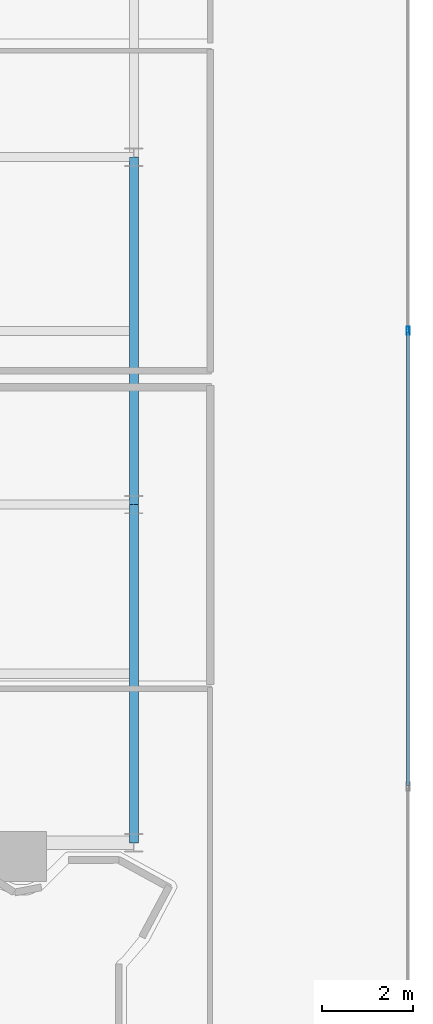
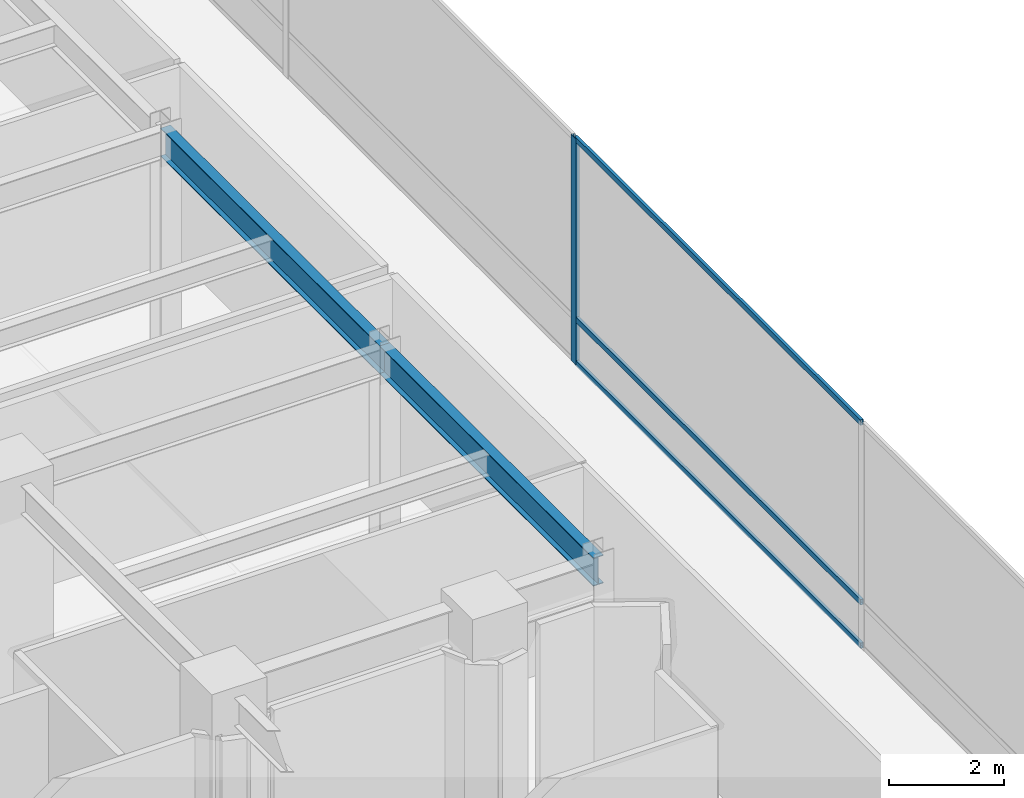
# One storey, part 27 of 42: 4 members, 2 beams, 1 element without a shape of its own.
"""IFC4 building model written with IfcOpenShell, lengths in metres."""

import ifcopenshell
import ifcopenshell.guid

model = None  # the IFC model being written
_history = None  # IfcOwnerHistory: only IFC2X3 demands one
_inside = {}  # id of a spatial element -> (the spatial element, [elements in it])
_under = {}  # id of a project, library or spatial element -> (it, [spatial elements below it])
_declared = {}  # id of a project -> (the project, [libraries it declares])
_typed = {}  # id of a type object -> (the type object, [elements of that type])
_made_of = {}  # id of a material, layer set ... -> (it, [elements and type objects made of it])


def new_model(schema):
    """Start an empty IFC model of exactly this schema.

    Asked for "IFC4X3", IfcOpenShell would pick the latest addendum, in which some entities
    have other attributes; the version numbers below select the first issue.
    IFC2X3 requires an IfcOwnerHistory on every rooted entity: one is made here for all.
    """
    global model, _history
    if schema == "IFC4X3":
        model = ifcopenshell.file(schema_version=(4, 3, 0, 0))
    else:
        model = ifcopenshell.file(schema=schema)
    _inside.clear()
    _under.clear()
    _declared.clear()
    _typed.clear()
    _made_of.clear()
    _history = None
    if model.schema == "IFC2X3":
        org = make("IfcOrganization", Name="unknown")
        user = make(
            "IfcPersonAndOrganization",
            ThePerson=make("IfcPerson", FamilyName="unknown"),
            TheOrganization=org,
        )
        app = make(
            "IfcApplication",
            ApplicationDeveloper=org,
            Version="unknown",
            ApplicationFullName="unknown",
            ApplicationIdentifier="unknown",
        )
        _history = make(
            "IfcOwnerHistory",
            OwningUser=user,
            OwningApplication=app,
            ChangeAction="ADDED",
            CreationDate=0,
        )
    return model


def make(cls, **values):
    """One entity of the class cls with the attributes given. An attribute that is None is left unset."""
    return model.create_entity(
        cls, **{name: value for name, value in values.items() if value is not None}
    )


def rooted(cls, **values):
    """An entity with a GlobalId (a new one), such as an element, a storey or a relation."""
    return make(cls, GlobalId=ifcopenshell.guid.new(), OwnerHistory=_history, **values)


def si_unit(unit_type, name, prefix=None):
    """IfcSIUnit, for example si_unit("LENGTHUNIT", "METRE", prefix="MILLI")."""
    return make("IfcSIUnit", UnitType=unit_type, Prefix=prefix, Name=name)


def assignment(units):
    """IfcUnitAssignment: the units of a project."""
    return None if units is None else make("IfcUnitAssignment", Units=units)


def point(xyz):
    """IfcCartesianPoint."""
    return None if xyz is None else make("IfcCartesianPoint", Coordinates=xyz)


def direction(xyz):
    """IfcDirection."""
    return None if xyz is None else make("IfcDirection", DirectionRatios=xyz)


def frame(location, z_axis=None, x_axis=None):
    """IfcAxis2Placement3D, a coordinate frame: its origin and axes. An axis left out is left unset."""
    return make(
        "IfcAxis2Placement3D",
        Location=point(location),
        Axis=direction(z_axis),
        RefDirection=direction(x_axis),
    )


def frame_2d(location, x_axis=None):
    """IfcAxis2Placement2D, a coordinate frame in the plane: its origin and x axis."""
    return make(
        "IfcAxis2Placement2D", Location=point(location), RefDirection=direction(x_axis)
    )


def origin():
    """The frame at (0, 0, 0) with its axes left unset."""
    return frame((0.0, 0.0, 0.0))


def origin_2d():
    """The frame at (0, 0) in the plane with its x axis left unset."""
    return frame_2d((0.0, 0.0))


def place(relative_to, where):
    """IfcLocalPlacement: puts the frame where relative to a parent placement (None: the world)."""
    return make(
        "IfcLocalPlacement", PlacementRelTo=relative_to, RelativePlacement=where
    )


def context(
    kind, dimensions, precision=None, world=None, true_north=None, identifier=None
):
    """IfcGeometricRepresentationContext, for example the 3D "Model" context."""
    return make(
        "IfcGeometricRepresentationContext",
        ContextIdentifier=identifier,
        ContextType=kind,
        CoordinateSpaceDimension=dimensions,
        Precision=precision,
        WorldCoordinateSystem=world,
        TrueNorth=true_north,
    )


def subcontext(parent, identifier, kind, view, scale=None):
    """IfcGeometricRepresentationSubContext, for example "Body" below "Model"."""
    return make(
        "IfcGeometricRepresentationSubContext",
        ContextIdentifier=identifier,
        ContextType=kind,
        ParentContext=parent,
        TargetScale=scale,
        TargetView=view,
    )


def project(units=None, contexts=None):
    """IfcProject with its units and contexts."""
    return rooted(
        "IfcProject",
        Name="project",
        RepresentationContexts=contexts,
        UnitsInContext=assignment(units),
    )


def spatial(cls, under=None, at=None, **own):
    """A site, building, storey or space (cls), placed at a placement, below another one or the project."""
    s = rooted(cls, ObjectPlacement=at, **own)
    if under is not None:
        _under.setdefault(under.id(), (under, []))[1].append(s)
    return s


def profile(cls, at=None, kind="AREA", **sizes):
    """A parametric profile (cls). Its sizes go by their IFC names, for example OverallWidth=200.0."""
    return make(cls, ProfileType=kind, Position=at, **sizes)


def hollow_rectangle(**sizes):
    """IfcRectangleHollowProfileDef."""
    return profile("IfcRectangleHollowProfileDef", **sizes)


def i_section(**sizes):
    """IfcIShapeProfileDef."""
    return profile("IfcIShapeProfileDef", **sizes)


def extrude(swept, where, along, depth):
    """IfcExtrudedAreaSolid: the profile swept, set in the frame where, extruded along a direction by depth."""
    return make(
        "IfcExtrudedAreaSolid",
        SweptArea=swept,
        Position=where,
        ExtrudedDirection=direction(along),
        Depth=depth,
    )


def shape(context_of_items, identifier, shape_type, items):
    """IfcShapeRepresentation: the items that make up one representation, for example the "Body"."""
    return make(
        "IfcShapeRepresentation",
        ContextOfItems=context_of_items,
        RepresentationIdentifier=identifier,
        RepresentationType=shape_type,
        Items=items,
    )


def material(Name=None, Category=None):
    """IfcMaterial."""
    return make("IfcMaterial", Name=Name, Category=Category)


def layer(
    of_material, thickness, ventilated=None, Name=None, Category=None, Priority=None
):
    """IfcMaterialLayer: one layer of a wall or slab, of a material (None: an air gap)."""
    return make(
        "IfcMaterialLayer",
        Material=of_material,
        LayerThickness=thickness,
        IsVentilated=ventilated,
        Name=Name,
        Category=Category,
        Priority=Priority,
    )


def layer_set(layers, Name=None):
    """IfcMaterialLayerSet."""
    return make("IfcMaterialLayerSet", MaterialLayers=layers, LayerSetName=Name)


def material_profile(
    of_material, cross_section, Name=None, Category=None, Priority=None
):
    """IfcMaterialProfile: a cross section and its material."""
    return make(
        "IfcMaterialProfile",
        Name=Name,
        Material=of_material,
        Profile=cross_section,
        Priority=Priority,
        Category=Category,
    )


def profile_set(profiles, Name=None, composite=None):
    """IfcMaterialProfileSet."""
    return make(
        "IfcMaterialProfileSet",
        Name=Name,
        MaterialProfiles=profiles,
        CompositeProfile=composite,
    )


def made_of(thing, what):
    """Note that an element or type object is made of a material, layer set ...; save() writes the relation."""
    if what is not None:
        _made_of.setdefault(what.id(), (what, []))[1].append(thing)
    return thing


def type_object(cls, material=None, **own):
    """A type object (cls), such as IfcWallType, which elements share."""
    return made_of(rooted(cls, **own), material)


def element(
    cls,
    number,
    at=None,
    inside=None,
    cuts=None,
    type_object=None,
    material=None,
    context=None,
    identifier="Body",
    shape_type=None,
    held_by="IfcProductDefinitionShape",
    body=None,
    shapes=None,
    **own,
):
    """One element of the class cls, such as IfcWall. Its Tag is "e" and its number.

    at: its placement. inside: the storey or other place that contains it. cuts: it is an
    opening in that element (IfcRelVoidsElement). A single representation is given by context,
    identifier, shape_type and body (its items); several are given by shapes. held_by: the class
    of the entity that holds the representations. save() writes the other relations.
    """
    e = rooted(cls, Tag="e%d" % number, ObjectPlacement=at, **own)
    if body is not None:
        shapes = [shape(context, identifier, shape_type, body)]
    if shapes is not None:
        e.Representation = make(held_by, Representations=shapes)
    if inside is not None:
        _inside.setdefault(inside.id(), (inside, []))[1].append(e)
    if cuts is not None:
        rooted(
            "IfcRelVoidsElement", RelatingBuildingElement=cuts, RelatedOpeningElement=e
        )
    if type_object is not None:
        _typed.setdefault(type_object.id(), (type_object, []))[1].append(e)
    return made_of(e, material)


def aggregate(whole, parts):
    """IfcRelAggregates: a whole, such as a stair, and the parts it consists of."""
    return rooted("IfcRelAggregates", RelatingObject=whole, RelatedObjects=parts)


def save(model, path):
    """Write the relations noted so far, then the file.

    IfcRelAggregates (storeys below a building ...), IfcRelContainedInSpatialStructure (elements
    in a storey), IfcRelDefinesByType, IfcRelAssociatesMaterial and IfcRelDeclares: one each for
    every whole, place, type object, material and project.
    """
    for whole, parts in _under.values():
        aggregate(whole, parts)
    for where, things in _inside.values():
        rooted(
            "IfcRelContainedInSpatialStructure",
            RelatedElements=things,
            RelatingStructure=where,
        )
    for kind, things in _typed.values():
        rooted("IfcRelDefinesByType", RelatedObjects=things, RelatingType=kind)
    for what, things in _made_of.values():
        rooted("IfcRelAssociatesMaterial", RelatedObjects=things, RelatingMaterial=what)
    for by, libraries in _declared.values():
        rooted("IfcRelDeclares", RelatingContext=by, RelatedDefinitions=libraries)
    model.write(path)


model = new_model("IFC4")

# Units and contexts
model_context = context("Model", 3, precision=1e-05, world=origin(), true_north=direction((0.0, 1.0)))
body_context = subcontext(model_context, "Body", "Model", "MODEL_VIEW")
ifc_project = project(units=[si_unit("LENGTHUNIT", "METRE"), si_unit("AREAUNIT", "SQUARE_METRE"), si_unit("VOLUMEUNIT", "CUBIC_METRE"), si_unit("PLANEANGLEUNIT", "RADIAN"), si_unit("MASSUNIT", "GRAM", prefix="KILO")], contexts=[model_context])

# Site, building, storey
site_placement = place(None, origin())
site = spatial("IfcSite", under=ifc_project, at=site_placement, CompositionType="ELEMENT")
building_placement = place(site_placement, origin())
building = spatial("IfcBuilding", under=site, at=building_placement, Name="Qianvela Tower", CompositionType="ELEMENT")
storey_placement = place(building_placement, frame((0.0, 0.0, 6.0)))
storey = spatial("IfcBuildingStorey", under=building, at=storey_placement, Name="L01", CompositionType="ELEMENT", Elevation=6.0)

# Beams
ifc_material_1 = material(Name="Steel Q355B", Category="steel")
ifc_material_profile_1 = material_profile(ifc_material_1, i_section(OverallWidth=0.199951171875, OverallDepth=0.60009765625, WebThickness=0.010986328125, FlangeThickness=0.01708984375, at=origin_2d()), Name="HN600x200x11x17")
ifc_profile_set_1 = profile_set([ifc_material_profile_1], Name="Steel Q355B")
beam_type = type_object("IfcBeamType", Name="BM-HN600-GIRD", PredefinedType="BEAM", material=ifc_profile_set_1)
beam_1_placement = place(storey_placement, frame((67.5, 14.800048828125, 4.47802734375), z_axis=(0.0, 1.0, 0.0), x_axis=(-1.0, 0.0, 0.0)))
element("IfcBeam", 1, at=beam_1_placement, inside=storey, type_object=beam_type, Name="L01 North-South Grid Girder 32", PredefinedType="BEAM", context=body_context, shape_type="SweptSolid", body=[
    extrude(i_section(OverallWidth=0.199951171875, OverallDepth=0.60009765625, WebThickness=0.010986328125, FlangeThickness=0.01708984375, at=origin_2d()), origin(), (0.0, 0.0, 1.0), 7.39990234375),
])
beam_2_placement = place(storey_placement, frame((67.5, 22.199951171875, 4.47802734375), z_axis=(0.0, 1.0, 0.0), x_axis=(-1.0, 0.0, 0.0)))
element("IfcBeam", 2, at=beam_2_placement, inside=storey, type_object=beam_type, Name="L01 North-South Grid Girder 33", PredefinedType="BEAM", context=body_context, shape_type="SweptSolid", body=[
    extrude(i_section(OverallWidth=0.199951171875, OverallDepth=0.60009765625, WebThickness=0.010986328125, FlangeThickness=0.01708984375, at=origin_2d()), origin(), (0.0, 0.0, 1.0), 7.60009765625),
])

# Curtain wall, members
ifc_material_2 = material(Name="Anodised Architectural Aluminium and Low-E Glass", Category="aluminium")
ifc_layer = layer(ifc_material_2, 0.179931640625)
ifc_layer_set = layer_set([ifc_layer], Name="Anodised Architectural Aluminium and Low-E Glass")
curtain_wall_type = type_object("IfcCurtainWallType", Name="CW-COMMONS", PredefinedType="USERDEFINED", material=ifc_layer_set)
curtain_wall_placement = place(storey_placement, origin())
curtain_wall = element("IfcCurtainWall", 3, at=curtain_wall_placement, inside=storey, type_object=curtain_wall_type, Name="L01 CW-COMMONS Curtain Wall 03", ObjectType="CURTAIN_WALL_SYSTEM", PredefinedType="USERDEFINED")
ifc_material_3 = material(Name="Anodised Architectural Aluminium 6063-T6", Category="aluminium")
ifc_material_profile_2 = material_profile(ifc_material_3, hollow_rectangle(XDim=0.070068359375, YDim=0.179931640625, WallThickness=0.0048828125, at=origin_2d()), Name="ALU-MULL-70x180")
ifc_profile_set_2 = profile_set([ifc_material_profile_2], Name="Anodised Architectural Aluminium 6063-T6")
member_type_1 = type_object("IfcMemberType", Name="CW-COMMONS-MULL", PredefinedType="MULLION", material=ifc_profile_set_2)
member_1_placement = place(storey_placement, frame((73.5, 26.0, 0.0), z_axis=(0.0, 0.0, 1.0), x_axis=(-1.0, 0.0, 0.0)))
member_1 = element("IfcMember", 4, at=member_1_placement, type_object=member_type_1, Name="CW-2 mullion 3", PredefinedType="MULLION", context=body_context, shape_type="SweptSolid", body=[
    extrude(hollow_rectangle(XDim=0.070068359375, YDim=0.179931640625, WallThickness=0.0048828125, at=origin_2d()), origin(), (0.0, 0.0, 1.0), 4.780029296875),
])
ifc_material_4 = material(Name="Anodised Architectural Aluminium 6063-T6", Category="aluminium")
ifc_material_profile_3 = material_profile(ifc_material_4, hollow_rectangle(XDim=0.06005859375, YDim=0.114990234375, WallThickness=0.00390625, at=origin_2d()), Name="ALU-TRAN-60x115")
ifc_profile_set_3 = profile_set([ifc_material_profile_3], Name="Anodised Architectural Aluminium 6063-T6")
member_type_2 = type_object("IfcMemberType", Name="CW-COMMONS-TRAN", PredefinedType="USERDEFINED", material=ifc_profile_set_3)
member_2_placement = place(storey_placement, frame((73.5, 16.06005859375, 0.030029296875), z_axis=(0.0, 1.0, 0.0), x_axis=(-1.0, 0.0, 0.0)))
member_2 = element("IfcMember", 5, at=member_2_placement, type_object=member_type_2, Name="CW-2 transom 2.1", ObjectType="TRANSOM", PredefinedType="USERDEFINED", context=body_context, shape_type="SweptSolid", body=[
    extrude(hollow_rectangle(XDim=0.06005859375, YDim=0.114990234375, WallThickness=0.00390625, at=origin_2d()), origin(), (0.0, 0.0, 1.0), 9.905029296875),
])
member_3_placement = place(storey_placement, frame((73.5, 16.06005859375, 0.949951171875), z_axis=(0.0, 1.0, 0.0), x_axis=(-1.0, 0.0, 0.0)))
member_3 = element("IfcMember", 6, at=member_3_placement, type_object=member_type_2, Name="CW-2 transom 2.2", ObjectType="TRANSOM", PredefinedType="USERDEFINED", context=body_context, shape_type="SweptSolid", body=[
    extrude(hollow_rectangle(XDim=0.06005859375, YDim=0.114990234375, WallThickness=0.00390625, at=origin_2d()), origin(), (0.0, 0.0, 1.0), 9.905029296875),
])
member_4_placement = place(storey_placement, frame((73.5, 16.06005859375, 4.75), z_axis=(0.0, 1.0, 0.0), x_axis=(-1.0, 0.0, 0.0)))
member_4 = element("IfcMember", 7, at=member_4_placement, type_object=member_type_2, Name="CW-2 transom 2.3", ObjectType="TRANSOM", PredefinedType="USERDEFINED", context=body_context, shape_type="SweptSolid", body=[
    extrude(hollow_rectangle(XDim=0.06005859375, YDim=0.114990234375, WallThickness=0.00390625, at=origin_2d()), origin(), (0.0, 0.0, 1.0), 9.905029296875),
])
aggregate(curtain_wall, [member_1, member_2, member_3, member_4])

save(model, "model.ifc")
